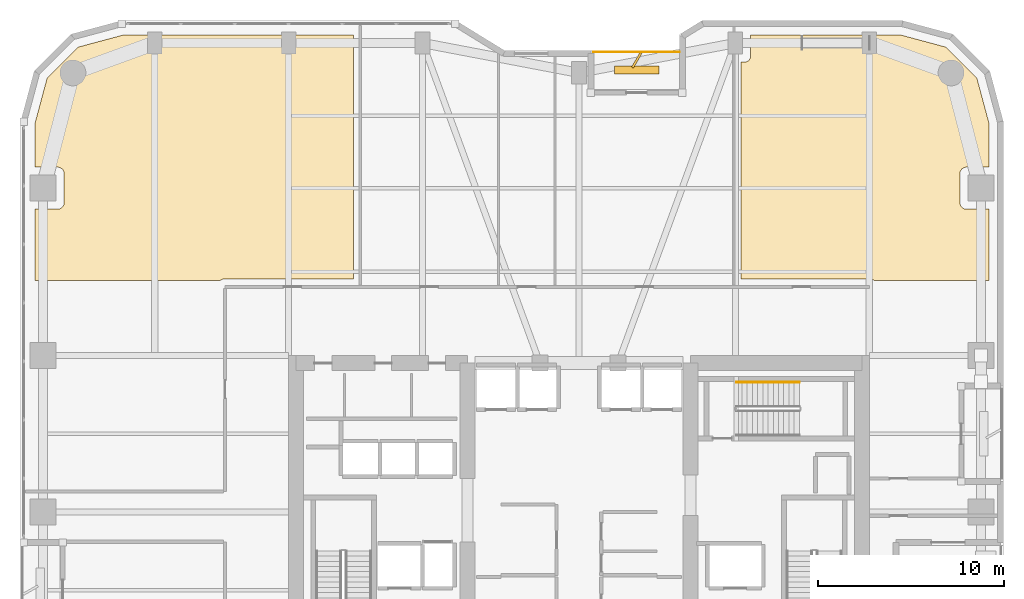
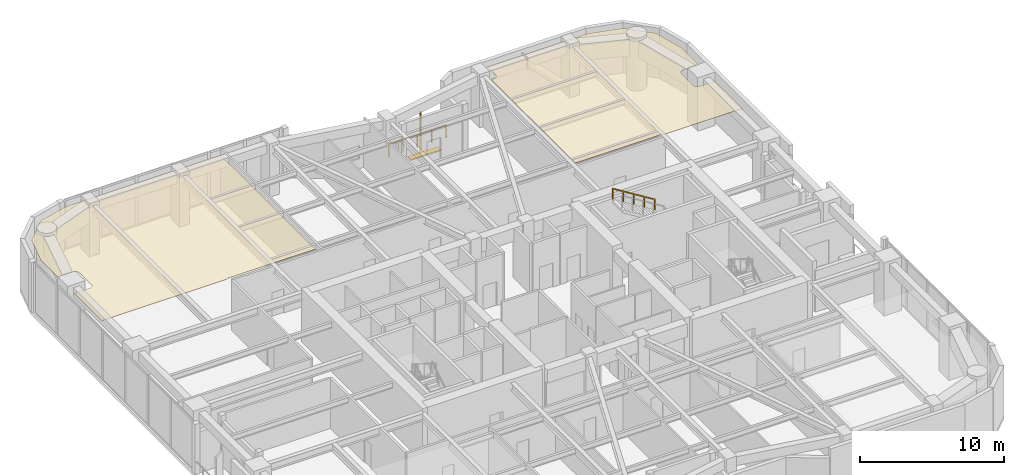
# One storey, part 20 of 20: 2 coverings, 2 railings, 2 shading devices.
"""IFC4 building model written with IfcOpenShell, lengths in metres."""

from ifc_helpers import new_model, si_unit, direction, frame, origin, origin_2d, place, context, subcontext, project, spatial, polyline, rectangle, outline, extrude, material, layer, layer_set, type_object, element, save


model = new_model("IFC4")

# Units and contexts
model_context = context("Model", 3, precision=1e-05, world=origin(), true_north=direction((0.0, 1.0)))
body_context = subcontext(model_context, "Body", "Model", "MODEL_VIEW")
ifc_project = project(units=[si_unit("LENGTHUNIT", "METRE"), si_unit("AREAUNIT", "SQUARE_METRE"), si_unit("VOLUMEUNIT", "CUBIC_METRE"), si_unit("PLANEANGLEUNIT", "RADIAN"), si_unit("MASSUNIT", "GRAM", prefix="KILO")], contexts=[model_context])

# Site, building, storey
site_placement = place(None, origin())
site = spatial("IfcSite", under=ifc_project, at=site_placement, CompositionType="ELEMENT")
building_placement = place(site_placement, origin())
building = spatial("IfcBuilding", under=site, at=building_placement, Name="Kiyonajd Concourse Tower", CompositionType="ELEMENT")
storey_placement = place(building_placement, frame((0.0, 0.0, 125.39990234375)))
storey = spatial("IfcBuildingStorey", under=building, at=storey_placement, Name="L32", CompositionType="ELEMENT", Elevation=125.39990234375)

# Coverings
ifc_material_1 = material(Name="Natural Oak Acoustic Timber Veneer", Category="wood")
ifc_layer = layer(ifc_material_1, 0.0400390625)
ifc_layer_set = layer_set([ifc_layer], Name="Natural Oak Acoustic Timber Veneer")
covering_type = type_object("IfcCoveringType", Name="CV-CLG-ACST", PredefinedType="CEILING", material=ifc_layer_set)
covering_1_placement = place(storey_placement, frame((0.0, 0.0, 4.06005859375)))
element("IfcCovering", 1, at=covering_1_placement, inside=storey, type_object=covering_type, Name="L32-47 Room Acoustic Ceiling", PredefinedType="CEILING", context=body_context, shape_type="SweptSolid", body=[
    extrude(outline(polyline([(21.097900390625, 60.986083984375), (23.5009765625, 61.6298828125), (35.889892578125, 61.6298828125), (35.889892578125, 48.530029296875), (28.97509765625, 48.530029296875), (28.844970703125, 48.510009765625), (28.781982421875, 48.48388671875), (28.72705078125, 48.449951171875), (18.77001953125, 48.449951171875), (18.77001953125, 52.27001953125), (19.97998046875, 52.27001953125), (20.048095703125, 52.277099609375), (20.14501953125, 52.31103515625), (20.201904296875, 52.34912109375), (20.2509765625, 52.39794921875), (20.2890625, 52.455078125), (20.31494140625, 52.51806640625), (20.330078125, 52.6201171875), (20.330078125, 54.179931640625), (20.31494140625, 54.281982421875), (20.2890625, 54.344970703125), (20.2509765625, 54.402099609375), (20.201904296875, 54.450927734375), (20.14501953125, 54.489013671875), (20.08203125, 54.514892578125), (20.013916015625, 54.528076171875), (18.77001953125, 54.530029296875), (18.77001953125, 56.89892578125), (19.4140625, 59.302001953125), (21.097900390625, 60.986083984375)])), origin(), (0.0, 0.0, 1.0), 0.0400390625),
])
covering_2_placement = place(storey_placement, frame((0.0, 0.0, 4.06005859375)))
element("IfcCovering", 2, at=covering_2_placement, inside=storey, type_object=covering_type, Name="L32-51 Room Acoustic Ceiling", PredefinedType="CEILING", context=body_context, shape_type="SweptSolid", body=[
    extrude(outline(polyline([(57.22998046875, 61.6298828125), (65.299072265625, 61.6298828125), (67.701904296875, 60.986083984375), (69.385986328125, 59.302001953125), (70.030029296875, 56.89892578125), (70.030029296875, 54.530029296875), (68.785888671875, 54.528076171875), (68.718017578125, 54.514892578125), (68.655029296875, 54.489013671875), (68.597900390625, 54.450927734375), (68.549072265625, 54.402099609375), (68.510986328125, 54.344970703125), (68.485107421875, 54.281982421875), (68.469970703125, 54.179931640625), (68.471923828125, 52.5859375), (68.4970703125, 52.486083984375), (68.549072265625, 52.39794921875), (68.597900390625, 52.34912109375), (68.655029296875, 52.31103515625), (68.751953125, 52.277099609375), (68.820068359375, 52.27001953125), (70.030029296875, 52.27001953125), (70.030029296875, 48.449951171875), (63.847900390625, 48.449951171875), (63.79296875, 48.48388671875), (63.72998046875, 48.510009765625), (63.60009765625, 48.530029296875), (56.699951171875, 48.530029296875), (56.699951171875, 60.169921875), (56.9140625, 60.172119140625), (57.013916015625, 60.197021484375), (57.073974609375, 60.22900390625), (57.126953125, 60.27294921875), (57.1708984375, 60.325927734375), (57.202880859375, 60.385986328125), (57.222900390625, 60.451904296875), (57.22998046875, 60.52001953125), (57.22998046875, 61.6298828125)])), origin(), (0.0, 0.0, 1.0), 0.0400390625),
])

# Railings
ifc_material_2 = material(Name="Thermally Broken Anodised Aluminium", Category="aluminium")
railing_type_1 = type_object("IfcRailingType", Name="RL-GRD-LOG", PredefinedType="GUARDRAIL", material=ifc_material_2)
railing_1_placement = place(storey_placement, frame((53.39990234375, 60.719970703125, 0.0)))
element("IfcRailing", 3, at=railing_1_placement, inside=storey, type_object=railing_type_1, Name="L32 Engawa Loggia Perimeter Guard LOG-N", PredefinedType="GUARDRAIL", context=body_context, shape_type="SweptSolid", body=[
    extrude(rectangle(XDim=0.048095703125, YDim=0.048095703125, at=origin_2d()), frame((0.0, 0.0, 1.076171875), z_axis=(-1.0, 0.0, 0.0), x_axis=(0.0, -1.0, 0.0)), (0.0, 0.0, 1.0), 4.599853515625),
    extrude(rectangle(XDim=0.0419921875, YDim=0.0419921875, at=origin_2d()), origin(), (0.0, 0.0, 1.0), 1.052001953125),
    extrude(rectangle(XDim=0.0419921875, YDim=0.0419921875, at=origin_2d()), frame((-1.14990234375, 0.0, 0.0)), (0.0, 0.0, 1.0), 1.052001953125),
    extrude(rectangle(XDim=0.0419921875, YDim=0.0419921875, at=origin_2d()), frame((-2.2998046875, 0.0, 0.0)), (0.0, 0.0, 1.0), 1.052001953125),
    extrude(rectangle(XDim=0.0419921875, YDim=0.0419921875, at=origin_2d()), frame((-3.449951171875, 0.0, 0.0)), (0.0, 0.0, 1.0), 1.052001953125),
    extrude(rectangle(XDim=0.0419921875, YDim=0.0419921875, at=origin_2d()), frame((-4.599853515625, 0.0, 0.0)), (0.0, 0.0, 1.0), 1.052001953125),
])
ifc_material_3 = material(Name="Brushed Stainless Steel Cab Assembly", Category="steel")
railing_type_2 = type_object("IfcRailingType", Name="RL-HND-900", PredefinedType="HANDRAIL", material=ifc_material_3)
railing_2_placement = place(storey_placement, frame((59.840087890625, 42.969970703125, 2.423095703125)))
element("IfcRailing", 4, at=railing_2_placement, inside=storey, type_object=railing_type_2, Name="L32 ST3 stair handrail 2", PredefinedType="HANDRAIL", context=body_context, shape_type="SweptSolid", body=[
    extrude(rectangle(XDim=0.048095703125, YDim=0.048095703125, at=origin_2d()), frame((0.0, 0.0, 0.8759765625), z_axis=(-0.850623216509, 0.0, 0.525775754039), x_axis=(0.0, -1.0, 0.0)), (0.0, 0.0, 1.0), 3.9501953125),
    extrude(rectangle(XDim=0.0419921875, YDim=0.0419921875, at=origin_2d()), origin(), (0.0, 0.0, 1.0), 0.851806640625),
    extrude(rectangle(XDim=0.0419921875, YDim=0.0419921875, at=origin_2d()), frame((-0.840087890625, 0.0, 0.519287109375)), (0.0, 0.0, 1.0), 0.851806640625),
    extrude(rectangle(XDim=0.0419921875, YDim=0.0419921875, at=origin_2d()), frame((-1.68017578125, 0.0, 1.03857421875)), (0.0, 0.0, 1.0), 0.851806640625),
    extrude(rectangle(XDim=0.0419921875, YDim=0.0419921875, at=origin_2d()), frame((-2.52001953125, 0.0, 1.5576171875)), (0.0, 0.0, 1.0), 0.851806640625),
    extrude(rectangle(XDim=0.0419921875, YDim=0.0419921875, at=origin_2d()), frame((-3.360107421875, 0.0, 2.076904296875)), (0.0, 0.0, 1.0), 0.851806640625),
])

# Shading devices
ifc_material_4 = material(Name="Precast concrete C50/60", Category="concrete")
shading_device_type_1 = type_object("IfcShadingDeviceType", Name="SH-FIN-900", PredefinedType="USERDEFINED", material=ifc_material_4)
shading_device_1_placement = place(storey_placement, frame((51.10009765625, 60.27001953125, 0.0), z_axis=(0.0, 0.0, 1.0), x_axis=(0.5, 0.866025403784, 0.0)))
element("IfcShadingDevice", 5, at=shading_device_1_placement, inside=storey, type_object=shading_device_type_1, Name="L32 Angled Koshi Solar Fin LOG-N", ObjectType="FIN", PredefinedType="USERDEFINED", context=body_context, shape_type="SweptSolid", body=[
    extrude(rectangle(XDim=0.89990234375, YDim=0.1201171875, at=origin_2d()), origin(), (0.0, 0.0, 1.0), 3.0),
])
shading_device_type_2 = type_object("IfcShadingDeviceType", Name="SH-LVR-600", PredefinedType="JALOUSIE", material=ifc_material_2)
shading_device_2_placement = place(storey_placement, frame((51.10009765625, 59.75, 0.0), z_axis=(0.0, 0.0, 1.0), x_axis=(1.0, 0.0, 0.0)))
element("IfcShadingDevice", 6, at=shading_device_2_placement, inside=storey, type_object=shading_device_type_2, Name="L32 Loggia Threshold Louver LOG-N", PredefinedType="JALOUSIE", context=body_context, shape_type="SweptSolid", body=[
    extrude(rectangle(XDim=2.39990234375, YDim=0.449951171875, at=origin_2d()), origin(), (0.0, 0.0, 1.0), 0.10009765625),
])

save(model, "model.ifc")
